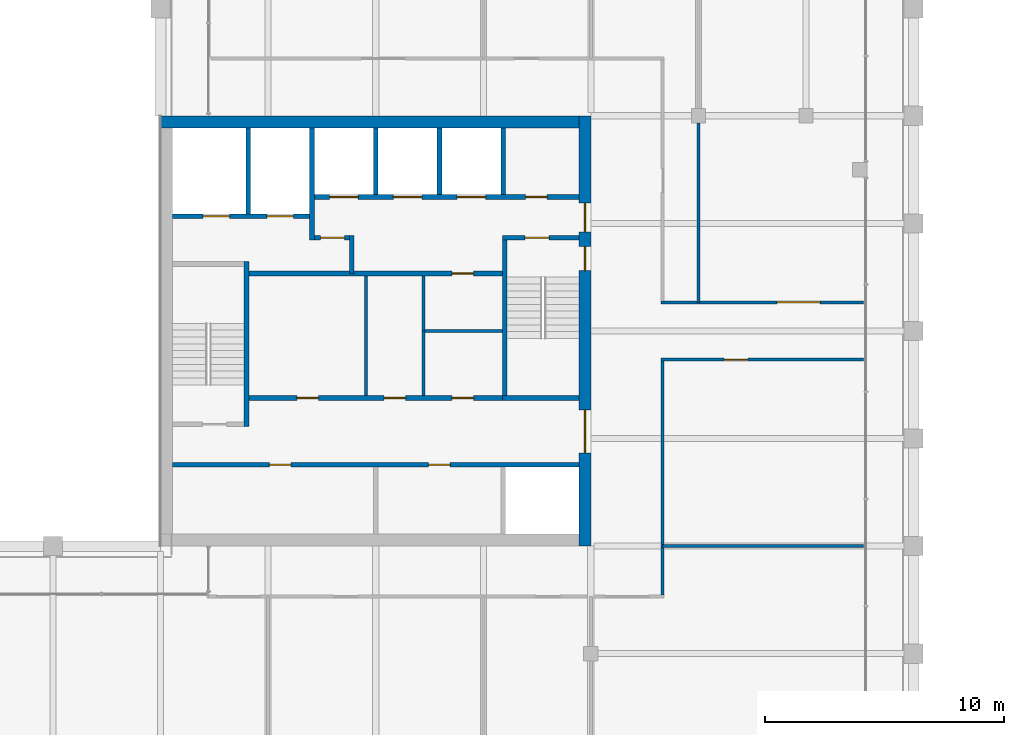
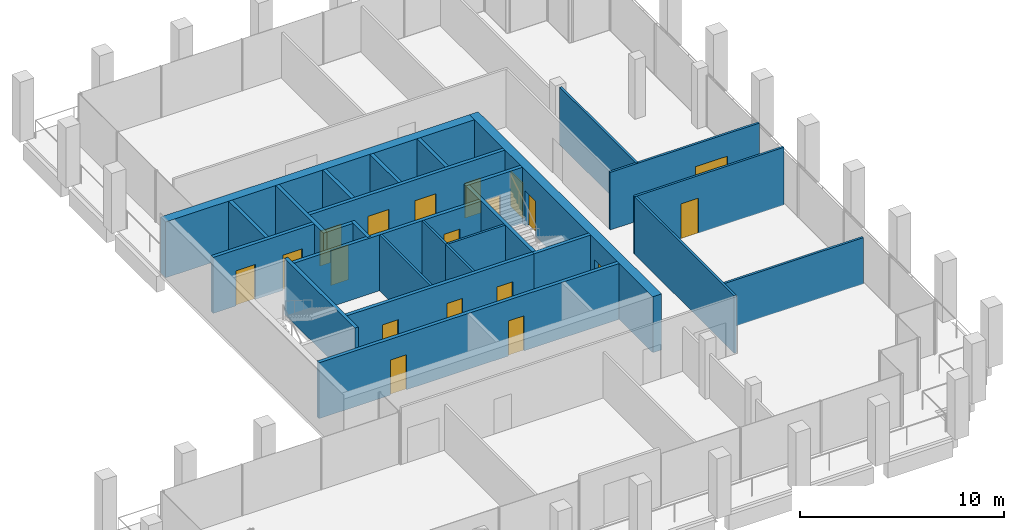
# One storey, part 36 of 40: 27 walls, 19 doors, 19 openings.
"""IFC4 building model written with IfcOpenShell, lengths in metres."""

from ifc_helpers import new_model, si_unit, direction, frame, frame_2d, origin, place, context, subcontext, project, spatial, rectangle, extrude, material, layer, layer_set, type_object, element, fill, save


model = new_model("IFC4")

# Units and contexts
model_context = context("Model", 3, precision=1e-05, world=origin(), true_north=direction((0.0, 1.0)))
body_context = subcontext(model_context, "Body", "Model", "MODEL_VIEW")
ifc_project = project(units=[si_unit("LENGTHUNIT", "METRE"), si_unit("AREAUNIT", "SQUARE_METRE"), si_unit("VOLUMEUNIT", "CUBIC_METRE"), si_unit("PLANEANGLEUNIT", "RADIAN"), si_unit("MASSUNIT", "GRAM", prefix="KILO")], contexts=[model_context])

# Site, building, storey
site_placement = place(None, origin())
site = spatial("IfcSite", under=ifc_project, at=site_placement, CompositionType="ELEMENT")
building_placement = place(site_placement, origin())
building = spatial("IfcBuilding", under=site, at=building_placement, Name="Altepetl Exchange Towers", CompositionType="ELEMENT")
storey_placement = place(building_placement, frame((0.0, 0.0, 199.199951171875)))
storey = spatial("IfcBuildingStorey", under=building, at=storey_placement, Name="L50", CompositionType="ELEMENT", Elevation=199.199951171875)

# Wall, openings, doors
ifc_material_1 = material(Name="Concrete C70/85", Category="concrete")
ifc_layer_1 = layer(ifc_material_1, 0.5)
ifc_layer_set_1 = layer_set([ifc_layer_1], Name="Concrete C70/85")
wall_type_1 = type_object("IfcWallType", Name="Core wall 500 reinforced concrete", PredefinedType="SHEAR", material=ifc_layer_set_1)
wall_1_placement = place(storey_placement, frame((58.25, 40.5, 0.0), z_axis=(0.0, 0.0, 1.0), x_axis=(0.0, 1.0, 0.0)))
wall_1 = element("IfcWall", 1, at=wall_1_placement, inside=storey, type_object=wall_type_1, Name="wall:A:L50:K-coreE", PredefinedType="SHEAR", context=body_context, shape_type="SweptSolid", body=[
    extrude(rectangle(XDim=18.0, YDim=0.5, at=frame_2d((9.0, 0.0))), origin(), (0.0, 0.0, 1.0), 3.35009765625),
])
opening_1_placement = place(wall_1_placement, frame((13.14990234375, 0.0, 0.0)))
opening_1 = element("IfcOpeningElement", 2, at=opening_1_placement, cuts=wall_1, Name="Opening L50.A60", PredefinedType="OPENING", context=body_context, shape_type="SweptSolid", body=[
    extrude(rectangle(XDim=1.199951171875, YDim=2.10009765625, at=frame_2d((0.60009765625, 1.050048828125))), frame((0.0, 0.260009765625, 0.0), z_axis=(0.0, -1.0, 0.0), x_axis=(1.0, 0.0, 0.0)), (0.0, 0.0, 1.0), 0.52001953125),
])
opening_2_placement = place(wall_1_placement, frame((3.89990234375, 0.0, 0.0)))
opening_2 = element("IfcOpeningElement", 3, at=opening_2_placement, cuts=wall_1, Name="Opening L50.A61", PredefinedType="OPENING", context=body_context, shape_type="SweptSolid", body=[
    extrude(rectangle(XDim=1.800048828125, YDim=2.10009765625, at=frame_2d((0.89990234375, 1.050048828125))), frame((0.0, 0.260009765625, 0.0), z_axis=(0.0, -1.0, 0.0), x_axis=(1.0, 0.0, 0.0)), (0.0, 0.0, 1.0), 0.52001953125),
])
opening_3_placement = place(wall_1_placement, frame((11.52490234375, 0.0, 0.0)))
opening_3 = element("IfcOpeningElement", 4, at=opening_3_placement, cuts=wall_1, Name="Opening L50.A64", PredefinedType="OPENING", context=body_context, shape_type="SweptSolid", body=[
    extrude(rectangle(XDim=1.0, YDim=2.10009765625, at=frame_2d((0.5, 1.050048828125))), frame((0.0, 0.260009765625, 0.0), z_axis=(0.0, -1.0, 0.0), x_axis=(1.0, 0.0, 0.0)), (0.0, 0.0, 1.0), 0.52001953125),
])
ifc_material_2 = material(Name="Steel and timber fire door", Category="steel")
door_type_1 = type_object("IfcDoorType", Name="Fire door 1000 x 2100 stair and lobby", OperationType="SINGLE_SWING_LEFT", PredefinedType="DOOR", material=ifc_material_2)
door_1_placement = place(opening_3_placement, origin())
door_1 = element("IfcDoor", 5, at=door_1_placement, inside=storey, type_object=door_type_1, Name="door:A:L50:K-dS2x", OperationType="SINGLE_SWING_RIGHT", OverallHeight=2.10009765625, OverallWidth=1.0, PredefinedType="DOOR", context=body_context, shape_type="SweptSolid", body=[
    extrude(rectangle(XDim=1.0, YDim=2.10009765625, at=frame_2d((0.5, 1.050048828125))), frame((0.0, 0.02490234375, 0.0), z_axis=(0.0, -1.0, 0.0), x_axis=(1.0, 0.0, 0.0)), (0.0, 0.0, 1.0), 0.050048828125),
])
fill(opening_3, door_1)
door_type_2 = type_object("IfcDoorType", Name="Fire door 1200 x 2100 lobby entry", OperationType="SINGLE_SWING_LEFT", PredefinedType="DOOR", material=ifc_material_2)
door_2_placement = place(opening_1_placement, origin())
door_2 = element("IfcDoor", 6, at=door_2_placement, inside=storey, type_object=door_type_2, Name="door:A:L50:K-dLNE", OperationType="SINGLE_SWING_RIGHT", OverallHeight=2.10009765625, OverallWidth=1.199951171875, PredefinedType="DOOR", context=body_context, shape_type="SweptSolid", body=[
    extrude(rectangle(XDim=1.199951171875, YDim=2.10009765625, at=frame_2d((0.60009765625, 1.050048828125))), frame((0.0, 0.02490234375, 0.0), z_axis=(0.0, -1.0, 0.0), x_axis=(1.0, 0.0, 0.0)), (0.0, 0.0, 1.0), 0.050048828125),
])
fill(opening_1, door_2)
door_type_3 = type_object("IfcDoorType", Name="Fire door 1800 x 2100 lobby entry", OperationType="DOUBLE_DOOR_SINGLE_SWING", PredefinedType="DOOR", material=ifc_material_2)
door_3_placement = place(opening_2_placement, origin())
door_3 = element("IfcDoor", 7, at=door_3_placement, inside=storey, type_object=door_type_3, Name="door:A:L50:K-dLSE", OperationType="DOUBLE_DOOR_SINGLE_SWING", OverallHeight=2.10009765625, OverallWidth=1.800048828125, PredefinedType="DOOR", context=body_context, shape_type="SweptSolid", body=[
    extrude(rectangle(XDim=1.800048828125, YDim=2.10009765625, at=frame_2d((0.89990234375, 1.050048828125))), frame((0.0, 0.02490234375, 0.0), z_axis=(0.0, -1.0, 0.0), x_axis=(1.0, 0.0, 0.0)), (0.0, 0.0, 1.0), 0.050048828125),
])
fill(opening_2, door_3)

# Walls
wall_2_placement = place(storey_placement, frame((40.5, 58.25, 0.0)))
element("IfcWall", 8, at=wall_2_placement, inside=storey, type_object=wall_type_1, Name="wall:A:L50:K-coreN", PredefinedType="SHEAR", context=body_context, shape_type="SweptSolid", body=[
    extrude(rectangle(XDim=17.5, YDim=0.5, at=frame_2d((8.75, 0.0))), origin(), (0.0, 0.0, 1.0), 3.35009765625),
])
ifc_material_3 = material(Name="Concrete blockwork", Category="masonry")
ifc_layer_2 = layer(ifc_material_3, 0.199951171875)
ifc_layer_set_2 = layer_set([ifc_layer_2], Name="Concrete blockwork")
wall_type_2 = type_object("IfcWallType", Name="Lobby wall 200 blockwork", PredefinedType="PARTITIONING", material=ifc_layer_set_2)
wall_3_placement = place(storey_placement, frame((48.5, 51.89990234375, 0.0), z_axis=(0.0, 0.0, 1.0), x_axis=(0.0, 1.0, 0.0)))
element("IfcWall", 9, at=wall_3_placement, inside=storey, type_object=wall_type_2, Name="wall:A:L50:K-ffE", PredefinedType="PARTITIONING", context=body_context, shape_type="SweptSolid", body=[
    extrude(rectangle(XDim=1.60009765625, YDim=0.199951171875, at=frame_2d((0.800048828125, 0.0))), origin(), (0.0, 0.0, 1.0), 3.35009765625),
])

# Wall, opening, door
wall_4_placement = place(storey_placement, frame((46.933349609375, 53.39990234375, 0.0)))
wall_4 = element("IfcWall", 10, at=wall_4_placement, inside=storey, type_object=wall_type_2, Name="wall:A:L50:K-ffN", PredefinedType="PARTITIONING", context=body_context, shape_type="SweptSolid", body=[
    extrude(rectangle(XDim=1.466552734375, YDim=0.199951171875, at=frame_2d((0.7333984375, 0.0))), origin(), (0.0, 0.0, 1.0), 3.35009765625),
])
opening_4_placement = place(wall_4_placement, frame((0.2666015625, 0.0, 0.0)))
opening_4 = element("IfcOpeningElement", 11, at=opening_4_placement, cuts=wall_4, Name="Opening L50.A65", PredefinedType="OPENING", context=body_context, shape_type="SweptSolid", body=[
    extrude(rectangle(XDim=1.0, YDim=2.10009765625, at=frame_2d((0.5, 1.050048828125))), frame((0.0, 0.10986328125, 0.0), z_axis=(0.0, -1.0, 0.0), x_axis=(1.0, 0.0, 0.0)), (0.0, 0.0, 1.0), 0.219970703125),
])
door_4_placement = place(opening_4_placement, frame((1.0, 0.0, 0.0), x_axis=(-1.0, 0.0, 0.0)))
door_4 = element("IfcDoor", 12, at=door_4_placement, inside=storey, type_object=door_type_1, Name="door:A:L50:K-dffN", OperationType="SINGLE_SWING_RIGHT", OverallHeight=2.10009765625, OverallWidth=1.0, PredefinedType="DOOR", context=body_context, shape_type="SweptSolid", body=[
    extrude(rectangle(XDim=1.0, YDim=2.10009765625, at=frame_2d((0.5, 1.050048828125))), frame((0.0, 0.02490234375, 0.0), z_axis=(0.0, -1.0, 0.0), x_axis=(1.0, 0.0, 0.0)), (0.0, 0.0, 1.0), 0.050048828125),
])
fill(opening_4, door_4)

wall_5_placement = place(storey_placement, frame((44.199951171875, 51.89990234375, 0.0)))
wall_5 = element("IfcWall", 13, at=wall_5_placement, inside=storey, type_object=wall_type_2, Name="wall:A:L50:K-zoneN", PredefinedType="PARTITIONING", context=body_context, shape_type="SweptSolid", body=[
    extrude(rectangle(XDim=10.60009765625, YDim=0.199951171875, at=frame_2d((5.300048828125, 0.0))), origin(), (0.0, 0.0, 1.0), 3.35009765625),
])
opening_5_placement = place(wall_5_placement, frame((8.5, 0.0, 0.0)))
opening_5 = element("IfcOpeningElement", 14, at=opening_5_placement, cuts=wall_5, Name="Opening L50.A71", PredefinedType="OPENING", context=body_context, shape_type="SweptSolid", body=[
    extrude(rectangle(XDim=0.89990234375, YDim=2.10009765625, at=frame_2d((0.449951171875, 1.050048828125))), frame((0.0, 0.10986328125, 0.0), z_axis=(0.0, -1.0, 0.0), x_axis=(1.0, 0.0, 0.0)), (0.0, 0.0, 1.0), 0.219970703125),
])
door_type_4 = type_object("IfcDoorType", Name="Fire door 900 x 2100 service room", OperationType="SINGLE_SWING_LEFT", PredefinedType="DOOR", material=ifc_material_2)
door_5_placement = place(opening_5_placement, frame((0.89990234375, 0.0, 0.0), x_axis=(-1.0, 0.0, 0.0)))
door_5 = element("IfcDoor", 15, at=door_5_placement, inside=storey, type_object=door_type_4, Name="door:A:L50:K-dz3", OperationType="SINGLE_SWING_LEFT", OverallHeight=2.10009765625, OverallWidth=0.89990234375, PredefinedType="DOOR", context=body_context, shape_type="SweptSolid", body=[
    extrude(rectangle(XDim=0.89990234375, YDim=2.10009765625, at=frame_2d((0.449951171875, 1.050048828125))), frame((0.0, 0.02490234375, 0.0), z_axis=(0.0, -1.0, 0.0), x_axis=(1.0, 0.0, 0.0)), (0.0, 0.0, 1.0), 0.050048828125),
])
fill(opening_5, door_5)

# Wall, openings, doors
wall_6_placement = place(storey_placement, frame((44.199951171875, 46.699951171875, 0.0)))
wall_6 = element("IfcWall", 16, at=wall_6_placement, inside=storey, type_object=wall_type_2, Name="wall:A:L50:K-zoneS", PredefinedType="PARTITIONING", context=body_context, shape_type="SweptSolid", body=[
    extrude(rectangle(XDim=10.60009765625, YDim=0.199951171875, at=frame_2d((5.300048828125, 0.0))), origin(), (0.0, 0.0, 1.0), 3.35009765625),
])
opening_6_placement = place(wall_6_placement, frame((2.0, 0.0, 0.0)))
opening_6 = element("IfcOpeningElement", 17, at=opening_6_placement, cuts=wall_6, Name="Opening L50.A69", PredefinedType="OPENING", context=body_context, shape_type="SweptSolid", body=[
    extrude(rectangle(XDim=0.89990234375, YDim=2.10009765625, at=frame_2d((0.449951171875, 1.050048828125))), frame((0.0, 0.10986328125, 0.0), z_axis=(0.0, -1.0, 0.0), x_axis=(1.0, 0.0, 0.0)), (0.0, 0.0, 1.0), 0.219970703125),
])
opening_7_placement = place(wall_6_placement, frame((5.64990234375, 0.0, 0.0)))
opening_7 = element("IfcOpeningElement", 18, at=opening_7_placement, cuts=wall_6, Name="Opening L50.A70", PredefinedType="OPENING", context=body_context, shape_type="SweptSolid", body=[
    extrude(rectangle(XDim=0.89990234375, YDim=2.10009765625, at=frame_2d((0.449951171875, 1.050048828125))), frame((0.0, 0.10986328125, 0.0), z_axis=(0.0, -1.0, 0.0), x_axis=(1.0, 0.0, 0.0)), (0.0, 0.0, 1.0), 0.219970703125),
])
opening_8_placement = place(wall_6_placement, frame((8.5, 0.0, 0.0)))
opening_8 = element("IfcOpeningElement", 19, at=opening_8_placement, cuts=wall_6, Name="Opening L50.A72", PredefinedType="OPENING", context=body_context, shape_type="SweptSolid", body=[
    extrude(rectangle(XDim=0.89990234375, YDim=2.10009765625, at=frame_2d((0.449951171875, 1.050048828125))), frame((0.0, 0.10986328125, 0.0), z_axis=(0.0, -1.0, 0.0), x_axis=(1.0, 0.0, 0.0)), (0.0, 0.0, 1.0), 0.219970703125),
])
door_6_placement = place(opening_6_placement, origin())
door_6 = element("IfcDoor", 20, at=door_6_placement, inside=storey, type_object=door_type_4, Name="door:A:L50:K-dz1", OperationType="SINGLE_SWING_LEFT", OverallHeight=2.10009765625, OverallWidth=0.89990234375, PredefinedType="DOOR", context=body_context, shape_type="SweptSolid", body=[
    extrude(rectangle(XDim=0.89990234375, YDim=2.10009765625, at=frame_2d((0.449951171875, 1.050048828125))), frame((0.0, 0.02490234375, 0.0), z_axis=(0.0, -1.0, 0.0), x_axis=(1.0, 0.0, 0.0)), (0.0, 0.0, 1.0), 0.050048828125),
])
fill(opening_6, door_6)
door_7_placement = place(opening_7_placement, origin())
door_7 = element("IfcDoor", 21, at=door_7_placement, inside=storey, type_object=door_type_4, Name="door:A:L50:K-dz2", OperationType="SINGLE_SWING_RIGHT", OverallHeight=2.10009765625, OverallWidth=0.89990234375, PredefinedType="DOOR", context=body_context, shape_type="SweptSolid", body=[
    extrude(rectangle(XDim=0.89990234375, YDim=2.10009765625, at=frame_2d((0.449951171875, 1.050048828125))), frame((0.0, 0.02490234375, 0.0), z_axis=(0.0, -1.0, 0.0), x_axis=(1.0, 0.0, 0.0)), (0.0, 0.0, 1.0), 0.050048828125),
])
fill(opening_7, door_7)
door_8_placement = place(opening_8_placement, origin())
door_8 = element("IfcDoor", 22, at=door_8_placement, inside=storey, type_object=door_type_4, Name="door:A:L50:K-dz4", OperationType="SINGLE_SWING_RIGHT", OverallHeight=2.10009765625, OverallWidth=0.89990234375, PredefinedType="DOOR", context=body_context, shape_type="SweptSolid", body=[
    extrude(rectangle(XDim=0.89990234375, YDim=2.10009765625, at=frame_2d((0.449951171875, 1.050048828125))), frame((0.0, 0.02490234375, 0.0), z_axis=(0.0, -1.0, 0.0), x_axis=(1.0, 0.0, 0.0)), (0.0, 0.0, 1.0), 0.050048828125),
])
fill(opening_8, door_8)

# Walls
ifc_material_4 = material(Name="Gypsum board on steel studs", Category="steel")
ifc_layer_3 = layer(ifc_material_4, 0.125)
ifc_layer_set_3 = layer_set([ifc_layer_3], Name="Gypsum board on steel studs")
wall_type_3 = type_object("IfcWallType", Name="Partition 125 gypsum board on steel studs", PredefinedType="PARTITIONING", material=ifc_layer_set_3)
wall_7_placement = place(storey_placement, frame((49.10009765625, 46.800048828125, 0.0), z_axis=(0.0, 0.0, 1.0), x_axis=(0.0, 1.0, 0.0)))
element("IfcWall", 23, at=wall_7_placement, inside=storey, type_object=wall_type_3, Name="wall:A:L50:K-zp1", PredefinedType="PARTITIONING", context=body_context, shape_type="SweptSolid", body=[
    extrude(rectangle(XDim=5.0, YDim=0.125, at=frame_2d((2.5, 0.0))), origin(), (0.0, 0.0, 1.0), 3.35009765625),
])
wall_8_placement = place(storey_placement, frame((51.5, 46.800048828125, 0.0), z_axis=(0.0, 0.0, 1.0), x_axis=(0.0, 1.0, 0.0)))
element("IfcWall", 24, at=wall_8_placement, inside=storey, type_object=wall_type_3, Name="wall:A:L50:K-zp2", PredefinedType="PARTITIONING", context=body_context, shape_type="SweptSolid", body=[
    extrude(rectangle(XDim=2.762451171875, YDim=0.125, at=frame_2d((1.38134765625, 0.0))), origin(), (0.0, 0.0, 1.0), 3.35009765625),
])
wall_9_placement = place(storey_placement, frame((51.5625, 49.5, 0.0)))
element("IfcWall", 25, at=wall_9_placement, inside=storey, type_object=wall_type_3, Name="wall:A:L50:K-zp3", PredefinedType="PARTITIONING", context=body_context, shape_type="SweptSolid", body=[
    extrude(rectangle(XDim=3.237548828125, YDim=0.125, at=frame_2d((1.61865234375, 0.0))), origin(), (0.0, 0.0, 1.0), 3.35009765625),
])
wall_10_placement = place(storey_placement, frame((51.5, 49.5, 0.0), z_axis=(0.0, 0.0, 1.0), x_axis=(0.0, 1.0, 0.0)))
element("IfcWall", 26, at=wall_10_placement, inside=storey, type_object=wall_type_3, Name="wall:A:L50:K-zp4", PredefinedType="PARTITIONING", context=body_context, shape_type="SweptSolid", body=[
    extrude(rectangle(XDim=2.300048828125, YDim=0.125, at=frame_2d((1.14990234375, 0.0))), origin(), (0.0, 0.0, 1.0), 3.35009765625),
])
wall_11_placement = place(storey_placement, frame((61.5, 40.5, 0.0)))
element("IfcWall", 27, at=wall_11_placement, inside=storey, type_object=wall_type_3, Name="wall:A:L50:P02", PredefinedType="PARTITIONING", context=body_context, shape_type="SweptSolid", body=[
    extrude(rectangle(XDim=8.39990234375, YDim=0.125, at=frame_2d((4.199951171875, 0.0))), origin(), (0.0, 0.0, 1.0), 2.77197265625),
])

# Wall, opening, door
wall_12_placement = place(storey_placement, frame((61.4375, 48.300048828125, 0.0)))
wall_12 = element("IfcWall", 28, at=wall_12_placement, inside=storey, type_object=wall_type_3, Name="wall:A:L50:P03", PredefinedType="PARTITIONING", context=body_context, shape_type="SweptSolid", body=[
    extrude(rectangle(XDim=8.46240234375, YDim=0.125, at=frame_2d((4.231201171875, 0.0))), origin(), (0.0, 0.0, 1.0), 3.449951171875),
])
opening_9_placement = place(wall_12_placement, frame((2.62451171875, 0.0, 0.0)))
opening_9 = element("IfcOpeningElement", 29, at=opening_9_placement, cuts=wall_12, Name="Opening L50.A05", PredefinedType="OPENING", context=body_context, shape_type="SweptSolid", body=[
    extrude(rectangle(XDim=1.0, YDim=2.10009765625, at=frame_2d((0.5, 1.050048828125))), frame((0.0, 0.072509765625, 0.0), z_axis=(0.0, -1.0, 0.0), x_axis=(1.0, 0.0, 0.0)), (0.0, 0.0, 1.0), 0.14501953125),
])
door_type_5 = type_object("IfcDoorType", Name="Fire door 1000 x 2100 single leaf", OperationType="SINGLE_SWING_LEFT", PredefinedType="DOOR", material=ifc_material_2)
door_9_placement = place(opening_9_placement, frame((1.0, 0.0, 0.0), x_axis=(-1.0, 0.0, 0.0)))
door_9 = element("IfcDoor", 30, at=door_9_placement, inside=storey, type_object=door_type_5, Name="door:A:L50:05", OperationType="SINGLE_SWING_LEFT", OverallHeight=2.10009765625, OverallWidth=1.0, PredefinedType="DOOR", context=body_context, shape_type="SweptSolid", body=[
    extrude(rectangle(XDim=1.0, YDim=2.10009765625, at=frame_2d((0.5, 1.050048828125))), frame((0.0, 0.02490234375, 0.0), z_axis=(0.0, -1.0, 0.0), x_axis=(1.0, 0.0, 0.0)), (0.0, 0.0, 1.0), 0.050048828125),
])
fill(opening_9, door_9)

wall_13_placement = place(storey_placement, frame((61.4375, 50.699951171875, 0.0)))
wall_13 = element("IfcWall", 31, at=wall_13_placement, inside=storey, type_object=wall_type_3, Name="wall:A:L50:P04", PredefinedType="PARTITIONING", context=body_context, shape_type="SweptSolid", body=[
    extrude(rectangle(XDim=8.46240234375, YDim=0.125, at=frame_2d((4.231201171875, 0.0))), origin(), (0.0, 0.0, 1.0), 3.449951171875),
])
opening_10_placement = place(wall_13_placement, frame((4.847412109375, 0.0, 0.0)))
opening_10 = element("IfcOpeningElement", 32, at=opening_10_placement, cuts=wall_13, Name="Opening L50.A06", PredefinedType="OPENING", context=body_context, shape_type="SweptSolid", body=[
    extrude(rectangle(XDim=1.800048828125, YDim=2.10009765625, at=frame_2d((0.89990234375, 1.050048828125))), frame((0.0, 0.072509765625, 0.0), z_axis=(0.0, -1.0, 0.0), x_axis=(1.0, 0.0, 0.0)), (0.0, 0.0, 1.0), 0.14501953125),
])
door_type_6 = type_object("IfcDoorType", Name="Fire door 1800 x 2100 double leaf", OperationType="DOUBLE_DOOR_SINGLE_SWING", PredefinedType="DOOR", material=ifc_material_2)
door_10_placement = place(opening_10_placement, origin())
door_10 = element("IfcDoor", 33, at=door_10_placement, inside=storey, type_object=door_type_6, Name="door:A:L50:06", OperationType="DOUBLE_DOOR_SINGLE_SWING", OverallHeight=2.10009765625, OverallWidth=1.800048828125, PredefinedType="DOOR", context=body_context, shape_type="SweptSolid", body=[
    extrude(rectangle(XDim=1.800048828125, YDim=2.10009765625, at=frame_2d((0.89990234375, 1.050048828125))), frame((0.0, 0.02490234375, 0.0), z_axis=(0.0, -1.0, 0.0), x_axis=(1.0, 0.0, 0.0)), (0.0, 0.0, 1.0), 0.050048828125),
])
fill(opening_10, door_10)

# Walls
wall_14_placement = place(storey_placement, frame((61.5, 38.46240234375, 0.0), z_axis=(0.0, 0.0, 1.0), x_axis=(0.0, 1.0, 0.0)))
element("IfcWall", 34, at=wall_14_placement, inside=storey, type_object=wall_type_3, Name="wall:A:L50:P13", PredefinedType="PARTITIONING", context=body_context, shape_type="SweptSolid", body=[
    extrude(rectangle(XDim=9.775146484375, YDim=0.125, at=frame_2d((4.8876953125, 0.0))), origin(), (0.0, 0.0, 1.0), 3.449951171875),
])
wall_15_placement = place(storey_placement, frame((63.0, 50.699951171875, 0.0), z_axis=(0.0, 0.0, 1.0), x_axis=(0.0, 1.0, 0.0)))
element("IfcWall", 35, at=wall_15_placement, inside=storey, type_object=wall_type_3, Name="wall:A:L50:P15", PredefinedType="PARTITIONING", context=body_context, shape_type="SweptSolid", body=[
    extrude(rectangle(XDim=7.5, YDim=0.125, at=frame_2d((3.75, 0.0))), origin(), (0.0, 0.0, 1.0), 3.449951171875),
])
ifc_material_5 = material(Name="Concrete C40/50", Category="concrete")
ifc_layer_4 = layer(ifc_material_5, 0.199951171875)
ifc_layer_set_4 = layer_set([ifc_layer_4], Name="Concrete C40/50")
wall_type_4 = type_object("IfcWallType", Name="Shaft wall 200 reinforced concrete", PredefinedType="SHEAR", material=ifc_layer_set_4)
wall_16_placement = place(storey_placement, frame((44.166748046875, 58.0, 0.0), z_axis=(0.0, 0.0, 1.0), x_axis=(0.0, -1.0, 0.0)))
element("IfcWall", 36, at=wall_16_placement, inside=storey, type_object=wall_type_4, Name="wall:A:L50:K-divN1", PredefinedType="SHEAR", context=body_context, shape_type="SweptSolid", body=[
    extrude(rectangle(XDim=3.60009765625, YDim=0.199951171875, at=frame_2d((1.800048828125, 0.0))), origin(), (0.0, 0.0, 1.0), 3.35009765625),
])
wall_17_placement = place(storey_placement, frame((46.833251953125, 58.0, 0.0), z_axis=(0.0, 0.0, 1.0), x_axis=(0.0, -1.0, 0.0)))
element("IfcWall", 37, at=wall_17_placement, inside=storey, type_object=wall_type_4, Name="wall:A:L50:K-divN2", PredefinedType="SHEAR", context=body_context, shape_type="SweptSolid", body=[
    extrude(rectangle(XDim=4.699951171875, YDim=0.199951171875, at=frame_2d((2.35009765625, 0.0))), origin(), (0.0, 0.0, 1.0), 3.35009765625),
])
for number, where, z_axis, x_axis, name in (
    (38, (49.5, 58.0, 0.0), (0.0, 0.0, 1.0), (0.0, -1.0, 0.0), "wall:A:L50:K-divN3"),
    (39, (52.166748046875, 58.0, 0.0), (0.0, 0.0, 1.0), (0.0, -1.0, 0.0), "wall:A:L50:K-divN4"),
    (40, (54.833251953125, 58.0, 0.0), (0.0, 0.0, 1.0), (0.0, -1.0, 0.0), "wall:A:L50:K-divN5"),
):
    element("IfcWall", number, at=place(storey_placement, frame(where, z_axis=z_axis, x_axis=x_axis)), inside=storey, type_object=wall_type_4, Name=name, PredefinedType="SHEAR", context=body_context, shape_type="SweptSolid", body=[
        extrude(rectangle(XDim=2.800048828125, YDim=0.199951171875, at=frame_2d((1.39990234375, 0.0))), origin(), (0.0, 0.0, 1.0), 3.35009765625),
    ])

# Wall, openings, doors
wall_18_placement = place(storey_placement, frame((46.933349609375, 55.10009765625, 0.0)))
wall_18 = element("IfcWall", 41, at=wall_18_placement, inside=storey, type_object=wall_type_4, Name="wall:A:L50:K-frontNb", PredefinedType="SHEAR", context=body_context, shape_type="SweptSolid", body=[
    extrude(rectangle(XDim=11.066650390625, YDim=0.199951171875, at=frame_2d((5.533203125, 0.0))), origin(), (0.0, 0.0, 1.0), 3.35009765625),
])
opening_11_placement = place(wall_18_placement, frame((8.83349609375, 0.0, 0.0)))
opening_11 = element("IfcOpeningElement", 42, at=opening_11_placement, cuts=wall_18, Name="Opening L50.A66", PredefinedType="OPENING", context=body_context, shape_type="SweptSolid", body=[
    extrude(rectangle(XDim=0.89990234375, YDim=2.10009765625, at=frame_2d((0.449951171875, 1.050048828125))), frame((0.0, 0.10986328125, 0.0), z_axis=(0.0, -1.0, 0.0), x_axis=(1.0, 0.0, 0.0)), (0.0, 0.0, 1.0), 0.219970703125),
])
opening_12_placement = place(wall_18_placement, frame((0.63330078125, 0.0, 0.0)))
opening_12 = element("IfcOpeningElement", 43, at=opening_12_placement, cuts=wall_18, Name="Opening L50.A75", PredefinedType="OPENING", context=body_context, shape_type="SweptSolid", body=[
    extrude(rectangle(XDim=1.199951171875, YDim=2.10009765625, at=frame_2d((0.60009765625, 1.050048828125))), frame((0.0, 0.10986328125, 0.0), z_axis=(0.0, -1.0, 0.0), x_axis=(1.0, 0.0, 0.0)), (0.0, 0.0, 1.0), 0.219970703125),
])
opening_13_placement = place(wall_18_placement, frame((3.300048828125, 0.0, 0.0)))
opening_13 = element("IfcOpeningElement", 44, at=opening_13_placement, cuts=wall_18, Name="Opening L50.A76", PredefinedType="OPENING", context=body_context, shape_type="SweptSolid", body=[
    extrude(rectangle(XDim=1.199951171875, YDim=2.10009765625, at=frame_2d((0.60009765625, 1.050048828125))), frame((0.0, 0.10986328125, 0.0), z_axis=(0.0, -1.0, 0.0), x_axis=(1.0, 0.0, 0.0)), (0.0, 0.0, 1.0), 0.219970703125),
])
opening_14_placement = place(wall_18_placement, frame((5.966796875, 0.0, 0.0)))
opening_14 = element("IfcOpeningElement", 45, at=opening_14_placement, cuts=wall_18, Name="Opening L50.A77", PredefinedType="OPENING", context=body_context, shape_type="SweptSolid", body=[
    extrude(rectangle(XDim=1.199951171875, YDim=2.10009765625, at=frame_2d((0.60009765625, 1.050048828125))), frame((0.0, 0.10986328125, 0.0), z_axis=(0.0, -1.0, 0.0), x_axis=(1.0, 0.0, 0.0)), (0.0, 0.0, 1.0), 0.219970703125),
])
door_11_placement = place(opening_11_placement, origin())
door_11 = element("IfcDoor", 46, at=door_11_placement, inside=storey, type_object=door_type_4, Name="door:A:L50:K-driser", OperationType="SINGLE_SWING_RIGHT", OverallHeight=2.10009765625, OverallWidth=0.89990234375, PredefinedType="DOOR", context=body_context, shape_type="SweptSolid", body=[
    extrude(rectangle(XDim=0.89990234375, YDim=2.10009765625, at=frame_2d((0.449951171875, 1.050048828125))), frame((0.0, 0.02490234375, 0.0), z_axis=(0.0, -1.0, 0.0), x_axis=(1.0, 0.0, 0.0)), (0.0, 0.0, 1.0), 0.050048828125),
])
fill(opening_11, door_11)
ifc_material_6 = material(Name="Stainless steel", Category="steel")
door_type_7 = type_object("IfcDoorType", Name="Lift landing door 1200 x 2100", OperationType="SLIDING_TO_LEFT", PredefinedType="DOOR", material=ifc_material_6)
door_12_placement = place(opening_12_placement, origin())
door_12 = element("IfcDoor", 47, at=door_12_placement, inside=storey, type_object=door_type_7, Name="Landing door P5", OperationType="SLIDING_TO_LEFT", OverallHeight=2.10009765625, OverallWidth=1.199951171875, PredefinedType="DOOR", context=body_context, shape_type="SweptSolid", body=[
    extrude(rectangle(XDim=1.199951171875, YDim=2.10009765625, at=frame_2d((0.60009765625, 1.050048828125))), frame((0.0, 0.02490234375, 0.0), z_axis=(0.0, -1.0, 0.0), x_axis=(1.0, 0.0, 0.0)), (0.0, 0.0, 1.0), 0.050048828125),
])
fill(opening_12, door_12)
door_13_placement = place(opening_13_placement, origin())
door_13 = element("IfcDoor", 48, at=door_13_placement, inside=storey, type_object=door_type_7, Name="Landing door P6", OperationType="SLIDING_TO_LEFT", OverallHeight=2.10009765625, OverallWidth=1.199951171875, PredefinedType="DOOR", context=body_context, shape_type="SweptSolid", body=[
    extrude(rectangle(XDim=1.199951171875, YDim=2.10009765625, at=frame_2d((0.60009765625, 1.050048828125))), frame((0.0, 0.02490234375, 0.0), z_axis=(0.0, -1.0, 0.0), x_axis=(1.0, 0.0, 0.0)), (0.0, 0.0, 1.0), 0.050048828125),
])
fill(opening_13, door_13)
door_14_placement = place(opening_14_placement, origin())
door_14 = element("IfcDoor", 49, at=door_14_placement, inside=storey, type_object=door_type_7, Name="Landing door P7", OperationType="SLIDING_TO_LEFT", OverallHeight=2.10009765625, OverallWidth=1.199951171875, PredefinedType="DOOR", context=body_context, shape_type="SweptSolid", body=[
    extrude(rectangle(XDim=1.199951171875, YDim=2.10009765625, at=frame_2d((0.60009765625, 1.050048828125))), frame((0.0, 0.02490234375, 0.0), z_axis=(0.0, -1.0, 0.0), x_axis=(1.0, 0.0, 0.0)), (0.0, 0.0, 1.0), 0.050048828125),
])
fill(opening_14, door_14)

wall_19_placement = place(storey_placement, frame((41.0, 54.300048828125, 0.0)))
wall_19 = element("IfcWall", 50, at=wall_19_placement, inside=storey, type_object=wall_type_4, Name="wall:A:L50:K-frontNd", PredefinedType="SHEAR", context=body_context, shape_type="SweptSolid", body=[
    extrude(rectangle(XDim=5.7333984375, YDim=0.199951171875, at=frame_2d((2.86669921875, 0.0))), origin(), (0.0, 0.0, 1.0), 3.35009765625),
])
opening_15_placement = place(wall_19_placement, frame((1.283203125, 0.0, 0.0)))
opening_15 = element("IfcOpeningElement", 51, at=opening_15_placement, cuts=wall_19, Name="Opening L50.A73", PredefinedType="OPENING", context=body_context, shape_type="SweptSolid", body=[
    extrude(rectangle(XDim=1.10009765625, YDim=2.10009765625, at=frame_2d((0.550048828125, 1.050048828125))), frame((0.0, 0.10986328125, 0.0), z_axis=(0.0, -1.0, 0.0), x_axis=(1.0, 0.0, 0.0)), (0.0, 0.0, 1.0), 0.219970703125),
])
opening_16_placement = place(wall_19_placement, frame((3.949951171875, 0.0, 0.0)))
opening_16 = element("IfcOpeningElement", 52, at=opening_16_placement, cuts=wall_19, Name="Opening L50.A74", PredefinedType="OPENING", context=body_context, shape_type="SweptSolid", body=[
    extrude(rectangle(XDim=1.10009765625, YDim=2.10009765625, at=frame_2d((0.550048828125, 1.050048828125))), frame((0.0, 0.10986328125, 0.0), z_axis=(0.0, -1.0, 0.0), x_axis=(1.0, 0.0, 0.0)), (0.0, 0.0, 1.0), 0.219970703125),
])
door_type_8 = type_object("IfcDoorType", Name="Lift landing door 1100 x 2100", OperationType="SLIDING_TO_LEFT", PredefinedType="DOOR", material=ifc_material_6)
door_15_placement = place(opening_15_placement, origin())
door_15 = element("IfcDoor", 53, at=door_15_placement, inside=storey, type_object=door_type_8, Name="Landing door FFL1", OperationType="SLIDING_TO_LEFT", OverallHeight=2.10009765625, OverallWidth=1.10009765625, PredefinedType="DOOR", context=body_context, shape_type="SweptSolid", body=[
    extrude(rectangle(XDim=1.10009765625, YDim=2.10009765625, at=frame_2d((0.550048828125, 1.050048828125))), frame((0.0, 0.02490234375, 0.0), z_axis=(0.0, -1.0, 0.0), x_axis=(1.0, 0.0, 0.0)), (0.0, 0.0, 1.0), 0.050048828125),
])
fill(opening_15, door_15)
door_16_placement = place(opening_16_placement, origin())
door_16 = element("IfcDoor", 54, at=door_16_placement, inside=storey, type_object=door_type_8, Name="Landing door FFL2", OperationType="SLIDING_TO_LEFT", OverallHeight=2.10009765625, OverallWidth=1.10009765625, PredefinedType="DOOR", context=body_context, shape_type="SweptSolid", body=[
    extrude(rectangle(XDim=1.10009765625, YDim=2.10009765625, at=frame_2d((0.550048828125, 1.050048828125))), frame((0.0, 0.02490234375, 0.0), z_axis=(0.0, -1.0, 0.0), x_axis=(1.0, 0.0, 0.0)), (0.0, 0.0, 1.0), 0.050048828125),
])
fill(opening_16, door_16)

wall_20_placement = place(storey_placement, frame((41.0, 43.89990234375, 0.0)))
wall_20 = element("IfcWall", 55, at=wall_20_placement, inside=storey, type_object=wall_type_4, Name="wall:A:L50:K-frontS", PredefinedType="SHEAR", context=body_context, shape_type="SweptSolid", body=[
    extrude(rectangle(XDim=17.0, YDim=0.199951171875, at=frame_2d((8.5, 0.0))), origin(), (0.0, 0.0, 1.0), 3.35009765625),
])
opening_17_placement = place(wall_20_placement, frame((4.050048828125, 0.0, 0.0)))
opening_17 = element("IfcOpeningElement", 56, at=opening_17_placement, cuts=wall_20, Name="Opening L50.A67", PredefinedType="OPENING", context=body_context, shape_type="SweptSolid", body=[
    extrude(rectangle(XDim=0.89990234375, YDim=2.10009765625, at=frame_2d((0.449951171875, 1.050048828125))), frame((0.0, 0.10986328125, 0.0), z_axis=(0.0, -1.0, 0.0), x_axis=(1.0, 0.0, 0.0)), (0.0, 0.0, 1.0), 0.219970703125),
])
opening_18_placement = place(wall_20_placement, frame((10.716796875, 0.0, 0.0)))
opening_18 = element("IfcOpeningElement", 57, at=opening_18_placement, cuts=wall_20, Name="Opening L50.A68", PredefinedType="OPENING", context=body_context, shape_type="SweptSolid", body=[
    extrude(rectangle(XDim=0.89990234375, YDim=2.10009765625, at=frame_2d((0.449951171875, 1.050048828125))), frame((0.0, 0.10986328125, 0.0), z_axis=(0.0, -1.0, 0.0), x_axis=(1.0, 0.0, 0.0)), (0.0, 0.0, 1.0), 0.219970703125),
])
door_17_placement = place(opening_17_placement, frame((0.89990234375, 0.0, 0.0), x_axis=(-1.0, 0.0, 0.0)))
door_17 = element("IfcDoor", 58, at=door_17_placement, inside=storey, type_object=door_type_4, Name="door:A:L50:K-dslotS0", OperationType="SINGLE_SWING_LEFT", OverallHeight=2.10009765625, OverallWidth=0.89990234375, PredefinedType="DOOR", context=body_context, shape_type="SweptSolid", body=[
    extrude(rectangle(XDim=0.89990234375, YDim=2.10009765625, at=frame_2d((0.449951171875, 1.050048828125))), frame((0.0, 0.02490234375, 0.0), z_axis=(0.0, -1.0, 0.0), x_axis=(1.0, 0.0, 0.0)), (0.0, 0.0, 1.0), 0.050048828125),
])
fill(opening_17, door_17)
door_18_placement = place(opening_18_placement, frame((0.89990234375, 0.0, 0.0), x_axis=(-1.0, 0.0, 0.0)))
door_18 = element("IfcDoor", 59, at=door_18_placement, inside=storey, type_object=door_type_4, Name="door:A:L50:K-dslotS3", OperationType="SINGLE_SWING_LEFT", OverallHeight=2.10009765625, OverallWidth=0.89990234375, PredefinedType="DOOR", context=body_context, shape_type="SweptSolid", body=[
    extrude(rectangle(XDim=0.89990234375, YDim=2.10009765625, at=frame_2d((0.449951171875, 1.050048828125))), frame((0.0, 0.02490234375, 0.0), z_axis=(0.0, -1.0, 0.0), x_axis=(1.0, 0.0, 0.0)), (0.0, 0.0, 1.0), 0.050048828125),
])
fill(opening_18, door_18)

# Wall
ifc_layer_5 = layer(ifc_material_5, 0.199951171875)
ifc_layer_set_5 = layer_set([ifc_layer_5], Name="Concrete C40/50")
wall_type_5 = type_object("IfcWallType", Name="Stair wall 200 reinforced concrete", PredefinedType="SHEAR", material=ifc_layer_set_5)
wall_21_placement = place(storey_placement, frame((44.10009765625, 45.5, 0.0), z_axis=(0.0, 0.0, 1.0), x_axis=(0.0, 1.0, 0.0)))
element("IfcWall", 60, at=wall_21_placement, inside=storey, type_object=wall_type_5, Name="wall:A:L50:K-stS1E", PredefinedType="SHEAR", context=body_context, shape_type="SweptSolid", body=[
    extrude(rectangle(XDim=6.89990234375, YDim=0.199951171875, at=frame_2d((3.449951171875, 0.0))), origin(), (0.0, 0.0, 1.0), 3.35009765625),
])

# Wall, opening, door
wall_22_placement = place(storey_placement, frame((54.800048828125, 53.39990234375, 0.0)))
wall_22 = element("IfcWall", 61, at=wall_22_placement, inside=storey, type_object=wall_type_5, Name="wall:A:L50:K-stS2N", PredefinedType="SHEAR", context=body_context, shape_type="SweptSolid", body=[
    extrude(rectangle(XDim=3.199951171875, YDim=0.199951171875, at=frame_2d((1.60009765625, 0.0))), origin(), (0.0, 0.0, 1.0), 3.35009765625),
])
opening_19_placement = place(wall_22_placement, frame((0.949951171875, 0.0, 0.0)))
opening_19 = element("IfcOpeningElement", 62, at=opening_19_placement, cuts=wall_22, Name="Opening L50.A63", PredefinedType="OPENING", context=body_context, shape_type="SweptSolid", body=[
    extrude(rectangle(XDim=1.0, YDim=2.10009765625, at=frame_2d((0.5, 1.050048828125))), frame((0.0, 0.10986328125, 0.0), z_axis=(0.0, -1.0, 0.0), x_axis=(1.0, 0.0, 0.0)), (0.0, 0.0, 1.0), 0.219970703125),
])
door_19_placement = place(opening_19_placement, frame((1.0, 0.0, 0.0), x_axis=(-1.0, 0.0, 0.0)))
door_19 = element("IfcDoor", 63, at=door_19_placement, inside=storey, type_object=door_type_1, Name="door:A:L50:K-dS2in", OperationType="SINGLE_SWING_LEFT", OverallHeight=2.10009765625, OverallWidth=1.0, PredefinedType="DOOR", context=body_context, shape_type="SweptSolid", body=[
    extrude(rectangle(XDim=1.0, YDim=2.10009765625, at=frame_2d((0.5, 1.050048828125))), frame((0.0, 0.02490234375, 0.0), z_axis=(0.0, -1.0, 0.0), x_axis=(1.0, 0.0, 0.0)), (0.0, 0.0, 1.0), 0.050048828125),
])
fill(opening_19, door_19)

# Walls
wall_23_placement = place(storey_placement, frame((54.800048828125, 46.699951171875, 0.0)))
element("IfcWall", 64, at=wall_23_placement, inside=storey, type_object=wall_type_5, Name="wall:A:L50:K-stS2S", PredefinedType="SHEAR", context=body_context, shape_type="SweptSolid", body=[
    extrude(rectangle(XDim=3.199951171875, YDim=0.199951171875, at=frame_2d((1.60009765625, 0.0))), origin(), (0.0, 0.0, 1.0), 3.35009765625),
])
wall_24_placement = place(storey_placement, frame((54.89990234375, 46.800048828125, 0.0), z_axis=(0.0, 0.0, 1.0), x_axis=(0.0, 1.0, 0.0)))
element("IfcWall", 65, at=wall_24_placement, inside=storey, type_object=wall_type_5, Name="wall:A:L50:K-stS2W", PredefinedType="SHEAR", context=body_context, shape_type="SweptSolid", body=[
    extrude(rectangle(XDim=6.5, YDim=0.199951171875, at=frame_2d((3.25, 0.0))), origin(), (0.0, 0.0, 1.0), 3.35009765625),
])

save(model, "model.ifc")
